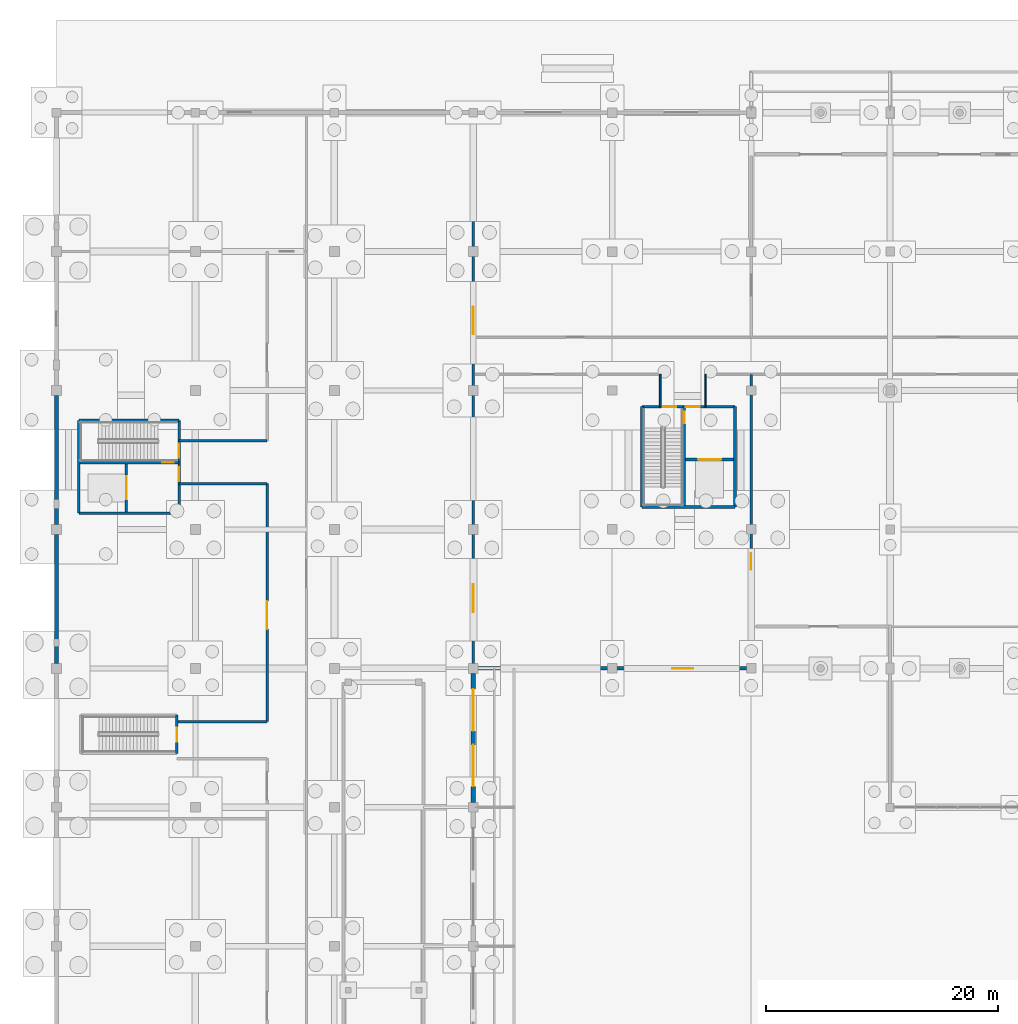
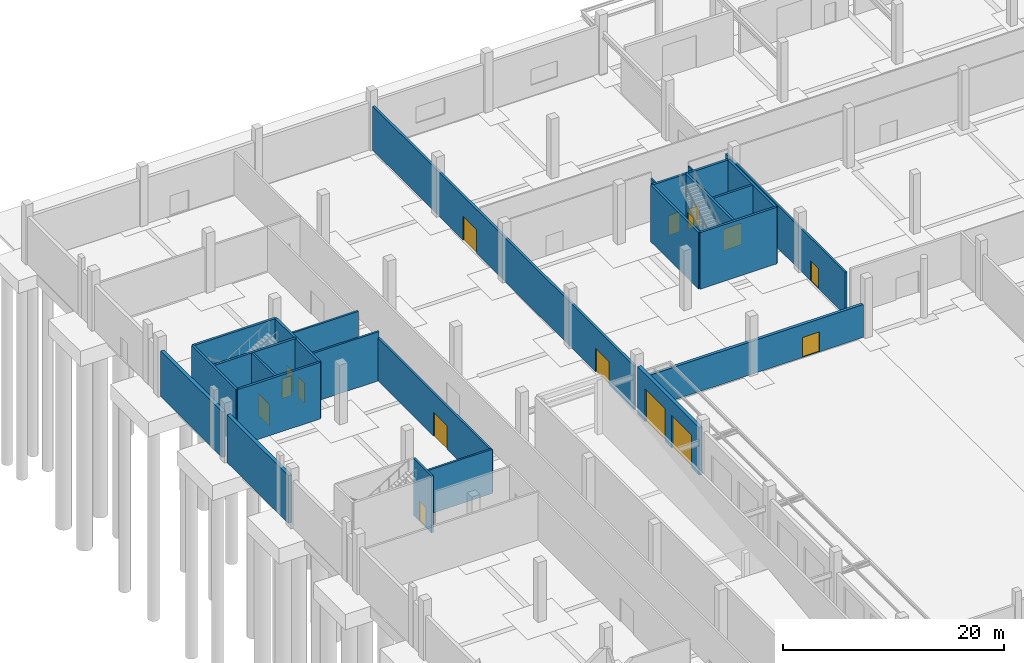
# One storey, part 86 of 117: 25 walls, 16 doors, 16 openings.
"""IFC4 building model written with IfcOpenShell, lengths in metres."""

from ifc_helpers import new_model, si_unit, direction, frame, frame_2d, origin, place, context, subcontext, project, spatial, rectangle, extrude, material, layer, layer_set, type_object, element, fill, save


model = new_model("IFC4")

# Units and contexts
model_context = context("Model", 3, precision=1e-05, world=origin(), true_north=direction((0.0, 1.0)))
body_context = subcontext(model_context, "Body", "Model", "MODEL_VIEW")
ifc_project = project(units=[si_unit("LENGTHUNIT", "METRE"), si_unit("AREAUNIT", "SQUARE_METRE"), si_unit("VOLUMEUNIT", "CUBIC_METRE"), si_unit("PLANEANGLEUNIT", "RADIAN"), si_unit("MASSUNIT", "GRAM", prefix="KILO")], contexts=[model_context])

# Site, building, storey
site_placement = place(None, origin())
site = spatial("IfcSite", under=ifc_project, at=site_placement, CompositionType="ELEMENT")
building_placement = place(site_placement, origin())
building = spatial("IfcBuilding", under=site, at=building_placement, Name="Kamomehara Wholesale Market", CompositionType="ELEMENT")
storey_placement = place(building_placement, origin())
storey = spatial("IfcBuildingStorey", under=building, at=storey_placement, Name="L00", CompositionType="ELEMENT", Elevation=0.0)

# Walls
ifc_material_1 = material(Name="Polyurethane insulated metal panel")
ifc_layer_1 = layer(ifc_material_1, 0.360107421875)
ifc_layer_set_1 = layer_set([ifc_layer_1], Name="Polyurethane insulated metal panel")
wall_type_1 = type_object("IfcWallType", Name="EW-CLD-360", PredefinedType="SOLIDWALL", material=ifc_layer_set_1)
wall_1_placement = place(storey_placement, frame((0.0, 108.425048828125, 0.0), z_axis=(0.0, 0.0, 1.0), x_axis=(0.0, 1.0, 0.0)))
element("IfcWall", 1, at=wall_1_placement, inside=storey, type_object=wall_type_1, Name="Exterior wall EW-CLD-360 7", PredefinedType="SOLIDWALL", context=body_context, shape_type="SweptSolid", body=[
    extrude(rectangle(XDim=11.14990234375, YDim=0.360107421875, at=frame_2d((5.574951171875, 0.0))), origin(), (0.0, 0.0, 1.0), 5.278076171875),
])
wall_2_placement = place(storey_placement, frame((0.0, 120.425048828125, 0.0), z_axis=(0.0, 0.0, 1.0), x_axis=(0.0, 1.0, 0.0)))
element("IfcWall", 2, at=wall_2_placement, inside=storey, type_object=wall_type_1, Name="Exterior wall EW-CLD-360 8", PredefinedType="SOLIDWALL", context=body_context, shape_type="SweptSolid", body=[
    extrude(rectangle(XDim=11.14990234375, YDim=0.360107421875, at=frame_2d((5.574951171875, 0.0))), origin(), (0.0, 0.0, 1.0), 5.048095703125),
])

# Wall, openings, doors
wall_3_placement = place(storey_placement, frame((36.0, 107.574951171875, 0.0), z_axis=(0.0, 0.0, 1.0), x_axis=(0.0, -1.0, 0.0)))
wall_3 = element("IfcWall", 3, at=wall_3_placement, inside=storey, type_object=wall_type_1, Name="Exterior wall EW-CLD-360 20", PredefinedType="SOLIDWALL", context=body_context, shape_type="SweptSolid", body=[
    extrude(rectangle(XDim=11.14990234375, YDim=0.360107421875, at=frame_2d((5.574951171875, 0.0))), origin(), (0.0, 0.0, 1.0), 5.258056640625),
])
opening_1_placement = place(wall_3_placement, frame((1.375, 0.0, 0.0)))
opening_1 = element("IfcOpeningElement", 4, at=opening_1_placement, cuts=wall_3, Name="Opening DK-08", PredefinedType="OPENING", context=body_context, shape_type="SweptSolid", body=[
    extrude(rectangle(XDim=3.60009765625, YDim=3.60009765625, at=frame_2d((1.800048828125, 1.800048828125))), frame((0.0, 0.19482421875, 0.0), z_axis=(0.0, -1.0, 0.0), x_axis=(1.0, 0.0, 0.0)), (0.0, 0.0, 1.0), 0.389892578125),
])
opening_2_placement = place(wall_3_placement, frame((6.175048828125, 0.0, 0.0)))
opening_2 = element("IfcOpeningElement", 5, at=opening_2_placement, cuts=wall_3, Name="Opening DK-07", PredefinedType="OPENING", context=body_context, shape_type="SweptSolid", body=[
    extrude(rectangle(XDim=3.60009765625, YDim=3.60009765625, at=frame_2d((1.800048828125, 1.800048828125))), frame((0.0, 0.19482421875, 0.0), z_axis=(0.0, -1.0, 0.0), x_axis=(1.0, 0.0, 0.0)), (0.0, 0.0, 1.0), 0.389892578125),
])
ifc_material_2 = material(Name="Steel SN400B", Category="steel")
door_type_1 = type_object("IfcDoorType", Name="EDR-DK-4000x4200", OperationType="ROLLINGUP", PredefinedType="GATE", material=ifc_material_2)
door_1_placement = place(opening_1_placement, origin())
door_1 = element("IfcDoor", 6, at=door_1_placement, inside=storey, type_object=door_type_1, Name="Cold dock roller shutter DK-08", OperationType="ROLLINGUP", OverallHeight=3.60009765625, OverallWidth=3.60009765625, PredefinedType="GATE", context=body_context, shape_type="SweptSolid", body=[
    extrude(rectangle(XDim=3.60009765625, YDim=3.60009765625, at=frame_2d((1.800048828125, 1.800048828125))), frame((0.0, 0.02490234375, 0.0), z_axis=(0.0, -1.0, 0.0), x_axis=(1.0, 0.0, 0.0)), (0.0, 0.0, 1.0), 0.050048828125),
])
fill(opening_1, door_1)
door_2_placement = place(opening_2_placement, origin())
door_2 = element("IfcDoor", 7, at=door_2_placement, inside=storey, type_object=door_type_1, Name="Cold dock roller shutter DK-07", OperationType="ROLLINGUP", OverallHeight=3.60009765625, OverallWidth=3.60009765625, PredefinedType="GATE", context=body_context, shape_type="SweptSolid", body=[
    extrude(rectangle(XDim=3.60009765625, YDim=3.60009765625, at=frame_2d((1.800048828125, 1.800048828125))), frame((0.0, 0.02490234375, 0.0), z_axis=(0.0, -1.0, 0.0), x_axis=(1.0, 0.0, 0.0)), (0.0, 0.0, 1.0), 0.050048828125),
])
fill(opening_2, door_2)

# Wall, opening, door
ifc_material_3 = material(Name="Precast concrete Fc45 (C40/50)", Category="concrete")
ifc_layer_2 = layer(ifc_material_3, 0.300048828125)
ifc_layer_set_2 = layer_set([ifc_layer_2], Name="Precast concrete Fc45 (C40/50)")
wall_type_2 = type_object("IfcWallType", Name="EW-PC-300", PredefinedType="SOLIDWALL", material=ifc_layer_set_2)
wall_4_placement = place(storey_placement, frame((59.590087890625, 108.0, 0.0), z_axis=(0.0, 0.0, 1.0), x_axis=(-1.0, 0.0, 0.0)))
wall_4 = element("IfcWall", 8, at=wall_4_placement, inside=storey, type_object=wall_type_2, Name="Exterior wall EW-PC-300 70", PredefinedType="SOLIDWALL", context=body_context, shape_type="SweptSolid", body=[
    extrude(rectangle(XDim=23.1650390625, YDim=0.300048828125, at=frame_2d((11.58251953125, 0.0))), origin(), (0.0, 0.0, 1.0), 3.6298828125),
])
opening_3_placement = place(wall_4_placement, frame((4.590087890625, 0.0, 0.0)))
opening_3 = element("IfcOpeningElement", 9, at=opening_3_placement, cuts=wall_4, Name="Opening ED-L00-26", PredefinedType="OPENING", context=body_context, shape_type="SweptSolid", body=[
    extrude(rectangle(XDim=1.800048828125, YDim=2.199951171875, at=frame_2d((0.89990234375, 1.10009765625))), frame((0.0, 0.1650390625, 0.0), z_axis=(0.0, -1.0, 0.0), x_axis=(1.0, 0.0, 0.0)), (0.0, 0.0, 1.0), 0.329833984375),
])
ifc_material_4 = material(Name="Anodised aluminium 6063-T5", Category="aluminium")
door_type_2 = type_object("IfcDoorType", Name="EDR-1800x2200", OperationType="NOTDEFINED", PredefinedType="DOOR", material=ifc_material_4)
door_3_placement = place(opening_3_placement, origin())
door_3 = element("IfcDoor", 10, at=door_3_placement, inside=storey, type_object=door_type_2, Name="Crate hall exit door ED-L00-26", OperationType="SINGLE_SWING_LEFT", OverallHeight=2.199951171875, OverallWidth=1.800048828125, PredefinedType="DOOR", context=body_context, shape_type="SweptSolid", body=[
    extrude(rectangle(XDim=1.800048828125, YDim=2.199951171875, at=frame_2d((0.89990234375, 1.10009765625))), frame((0.0, 0.02490234375, 0.0), z_axis=(0.0, -1.0, 0.0), x_axis=(1.0, 0.0, 0.0)), (0.0, 0.0, 1.0), 0.050048828125),
])
fill(opening_3, door_3)

# Walls
ifc_material_5 = material(Name="Gypsum board partition")
ifc_layer_3 = layer(ifc_material_5, 0.10009765625)
ifc_layer_set_3 = layer_set([ifc_layer_3], Name="Gypsum board partition")
wall_type_3 = type_object("IfcWallType", Name="IW-PRT-100", PredefinedType="PARTITIONING", material=ifc_layer_set_3)
wall_5_placement = place(storey_placement, frame((56.050048828125, 130.60009765625, 0.0), z_axis=(0.0, 0.0, 1.0), x_axis=(0.0, 1.0, 0.0)))
element("IfcWall", 11, at=wall_5_placement, inside=storey, type_object=wall_type_3, Name="Interior wall IW-PRT-100 198", PredefinedType="PARTITIONING", context=body_context, shape_type="SweptSolid", body=[
    extrude(rectangle(XDim=2.7998046875, YDim=0.10009765625, at=frame_2d((1.39990234375, 0.0))), origin(), (0.0, 0.0, 1.0), 4.73291015625),
])
ifc_material_6 = material(Name="Gypsum board partition")
ifc_layer_4 = layer(ifc_material_6, 0.14990234375)
ifc_layer_set_4 = layer_set([ifc_layer_4], Name="Gypsum board partition")
wall_type_4 = type_object("IfcWallType", Name="IW-PRT-150", PredefinedType="PARTITIONING", material=ifc_layer_set_4)
wall_6_placement = place(storey_placement, frame((52.14990234375, 130.60009765625, 0.0), z_axis=(0.0, 0.0, 1.0), x_axis=(0.0, 1.0, 0.0)))
element("IfcWall", 12, at=wall_6_placement, inside=storey, type_object=wall_type_4, Name="Interior wall IW-PRT-150 197", PredefinedType="PARTITIONING", context=body_context, shape_type="SweptSolid", body=[
    extrude(rectangle(XDim=2.7998046875, YDim=0.14990234375, at=frame_2d((1.39990234375, 0.0))), origin(), (0.0, 0.0, 1.0), 4.73291015625),
])

# Wall, opening, door
ifc_material_7 = material(Name="Gypsum board partition")
ifc_layer_5 = layer(ifc_material_7, 0.199951171875)
ifc_layer_set_5 = layer_set([ifc_layer_5], Name="Gypsum board partition")
wall_type_5 = type_object("IfcWallType", Name="IW-PRT-200", PredefinedType="PARTITIONING", material=ifc_layer_set_5)
wall_7_placement = place(storey_placement, frame((60.0, 111.72998046875, 0.0), z_axis=(0.0, 0.0, 1.0), x_axis=(0.0, 1.0, 0.0)))
wall_7 = element("IfcWall", 13, at=wall_7_placement, inside=storey, type_object=wall_type_5, Name="Interior wall IW-PRT-200 194", PredefinedType="PARTITIONING", context=body_context, shape_type="SweptSolid", body=[
    extrude(rectangle(XDim=21.669921875, YDim=0.199951171875, at=frame_2d((10.8349609375, 0.0))), origin(), (0.0, 0.0, 1.0), 4.73291015625),
])
opening_4_placement = place(wall_7_placement, frame((4.800048828125, 0.0, 0.0)))
opening_4 = element("IfcOpeningElement", 14, at=opening_4_placement, cuts=wall_7, Name="Opening ID-L00-113", PredefinedType="OPENING", context=body_context, shape_type="SweptSolid", body=[
    extrude(rectangle(XDim=1.39990234375, YDim=2.199951171875, at=frame_2d((0.699951171875, 1.10009765625))), frame((0.0, 0.11474609375, 0.0), z_axis=(0.0, -1.0, 0.0), x_axis=(1.0, 0.0, 0.0)), (0.0, 0.0, 1.0), 0.229736328125),
])
ifc_material_8 = material(Name="Steel SN400B", Category="steel")
door_type_3 = type_object("IfcDoorType", Name="IDR-FD-1400x2200", OperationType="NOTDEFINED", PredefinedType="DOOR", material=ifc_material_8)
door_4_placement = place(opening_4_placement, origin())
door_4 = element("IfcDoor", 15, at=door_4_placement, inside=storey, type_object=door_type_3, Name="Interior door ID-L00-113", OperationType="SINGLE_SWING_LEFT", OverallHeight=2.199951171875, OverallWidth=1.39990234375, PredefinedType="DOOR", context=body_context, shape_type="SweptSolid", body=[
    extrude(rectangle(XDim=1.39990234375, YDim=2.199951171875, at=frame_2d((0.699951171875, 1.10009765625))), frame((0.0, 0.02490234375, 0.0), z_axis=(0.0, -1.0, 0.0), x_axis=(1.0, 0.0, 0.0)), (0.0, 0.0, 1.0), 0.050048828125),
])
fill(opening_4, door_4)

# Wall
wall_8_placement = place(storey_placement, frame((10.39990234375, 103.39990234375, 0.0), z_axis=(0.0, 0.0, 1.0), x_axis=(1.0, 0.0, 0.0)))
element("IfcWall", 16, at=wall_8_placement, inside=storey, type_object=wall_type_5, Name="Interior wall IW-PRT-200 232", PredefinedType="PARTITIONING", context=body_context, shape_type="SweptSolid", body=[
    extrude(rectangle(XDim=7.800048828125, YDim=0.199951171875, at=frame_2d((3.89990234375, 0.0))), origin(), (0.0, 0.0, 1.0), 4.89306640625),
])

# Wall, opening, door
wall_9_placement = place(storey_placement, frame((18.199951171875, 103.39990234375, 0.0), z_axis=(0.0, 0.0, 1.0), x_axis=(0.0, 1.0, 0.0)))
wall_9 = element("IfcWall", 17, at=wall_9_placement, inside=storey, type_object=wall_type_5, Name="Interior wall IW-PRT-200 233", PredefinedType="PARTITIONING", context=body_context, shape_type="SweptSolid", body=[
    extrude(rectangle(XDim=20.550048828125, YDim=0.199951171875, at=frame_2d((10.27490234375, 0.0))), origin(), (0.0, 0.0, 1.0), 4.73291015625),
])
opening_5_placement = place(wall_9_placement, frame((8.0, 0.0, 0.0)))
opening_5 = element("IfcOpeningElement", 18, at=opening_5_placement, cuts=wall_9, Name="Opening ID-L00-141", PredefinedType="OPENING", context=body_context, shape_type="SweptSolid", body=[
    extrude(rectangle(XDim=2.39990234375, YDim=2.60009765625, at=frame_2d((1.199951171875, 1.300048828125))), frame((0.0, 0.11474609375, 0.0), z_axis=(0.0, -1.0, 0.0), x_axis=(1.0, 0.0, 0.0)), (0.0, 0.0, 1.0), 0.229736328125),
])
ifc_material_9 = material(Name="Steel SN400B", Category="steel")
door_type_4 = type_object("IfcDoorType", Name="IDR-CL-2400x2600", OperationType="NOTDEFINED", PredefinedType="DOOR", material=ifc_material_9)
door_5_placement = place(opening_5_placement, origin())
door_5 = element("IfcDoor", 19, at=door_5_placement, inside=storey, type_object=door_type_4, Name="Interior door ID-L00-141", OperationType="SINGLE_SWING_LEFT", OverallHeight=2.60009765625, OverallWidth=2.39990234375, PredefinedType="DOOR", context=body_context, shape_type="SweptSolid", body=[
    extrude(rectangle(XDim=2.39990234375, YDim=2.60009765625, at=frame_2d((1.199951171875, 1.300048828125))), frame((0.0, 0.02490234375, 0.0), z_axis=(0.0, -1.0, 0.0), x_axis=(1.0, 0.0, 0.0)), (0.0, 0.0, 1.0), 0.050048828125),
])
fill(opening_5, door_5)

# Walls
for number, where, z_axis, x_axis, name in (
    (20, (10.60009765625, 123.949951171875, 0.0), (0.0, 0.0, 1.0), (1.0, 0.0, 0.0), "Interior wall IW-PRT-200 234"),
    (21, (10.60009765625, 127.64990234375, 0.0), (0.0, 0.0, 1.0), (1.0, 0.0, 0.0), "Interior wall IW-PRT-200 235"),
):
    element("IfcWall", number, at=place(storey_placement, frame(where, z_axis=z_axis, x_axis=x_axis)), inside=storey, type_object=wall_type_5, Name=name, PredefinedType="PARTITIONING", context=body_context, shape_type="SweptSolid", body=[
        extrude(rectangle(XDim=7.599853515625, YDim=0.199951171875, at=frame_2d((3.7998046875, 0.0))), origin(), (0.0, 0.0, 1.0), 5.43310546875),
    ])

# Wall, opening, door
ifc_material_10 = material(Name="Concrete Fc36 (C35/45)", Category="concrete")
ifc_layer_6 = layer(ifc_material_10, 0.219970703125)
ifc_layer_set_6 = layer_set([ifc_layer_6], Name="Concrete Fc36 (C35/45)")
wall_type_6 = type_object("IfcWallType", Name="IW-SHR-220", PredefinedType="SHEAR", material=ifc_layer_set_6)
wall_10_placement = place(storey_placement, frame((54.340087890625, 126.0400390625, 0.0), z_axis=(0.0, 0.0, 1.0), x_axis=(1.0, 0.0, 0.0)))
wall_10 = element("IfcWall", 22, at=wall_10_placement, inside=storey, type_object=wall_type_6, Name="Interior wall IW-SHR-220 6", PredefinedType="SHEAR", context=body_context, shape_type="SweptSolid", body=[
    extrude(rectangle(XDim=4.139892578125, YDim=0.219970703125, at=frame_2d((2.06982421875, 0.0))), origin(), (0.0, 0.0, 1.0), 6.25),
])
opening_6_placement = place(wall_10_placement, frame((1.070068359375, 0.0, 0.0)))
opening_6 = element("IfcOpeningElement", 23, at=opening_6_placement, cuts=wall_10, Name="Opening LD-LF-01-L00", PredefinedType="OPENING", context=body_context, shape_type="SweptSolid", body=[
    extrude(rectangle(XDim=2.0, YDim=2.39990234375, at=frame_2d((1.0, 1.199951171875))), frame((0.0, 0.125, 0.0), z_axis=(0.0, -1.0, 0.0), x_axis=(1.0, 0.0, 0.0)), (0.0, 0.0, 1.0), 0.249755859375),
])
ifc_material_11 = material(Name="Steel SN400B", Category="steel")
door_type_5 = type_object("IfcDoorType", Name="LDR-GDS-2000x2400", OperationType="DOUBLE_DOOR_SLIDING", PredefinedType="DOOR", material=ifc_material_11)
door_6_placement = place(opening_6_placement, origin())
door_6 = element("IfcDoor", 24, at=door_6_placement, inside=storey, type_object=door_type_5, Name="Lift sliding landing door LD-LF-01-L00", OperationType="DOUBLE_DOOR_SLIDING", OverallHeight=2.39990234375, OverallWidth=2.0, PredefinedType="DOOR", context=body_context, shape_type="SweptSolid", body=[
    extrude(rectangle(XDim=2.0, YDim=2.39990234375, at=frame_2d((1.0, 1.199951171875))), frame((0.0, 0.02490234375, 0.0), z_axis=(0.0, -1.0, 0.0), x_axis=(1.0, 0.0, 0.0)), (0.0, 0.0, 1.0), 0.050048828125),
])
fill(opening_6, door_6)

wall_11_placement = place(storey_placement, frame((6.0400390625, 121.52001953125, 0.0), z_axis=(0.0, 0.0, 1.0), x_axis=(0.0, 1.0, 0.0)))
wall_11 = element("IfcWall", 25, at=wall_11_placement, inside=storey, type_object=wall_type_6, Name="Interior wall IW-SHR-220 48", PredefinedType="SHEAR", context=body_context, shape_type="SweptSolid", body=[
    extrude(rectangle(XDim=4.139892578125, YDim=0.219970703125, at=frame_2d((2.06982421875, 0.0))), origin(), (0.0, 0.0, 1.0), 6.25),
])
opening_7_placement = place(wall_11_placement, frame((1.070068359375, 0.0, 0.0)))
opening_7 = element("IfcOpeningElement", 26, at=opening_7_placement, cuts=wall_11, Name="Opening LD-LF-03-L00", PredefinedType="OPENING", context=body_context, shape_type="SweptSolid", body=[
    extrude(rectangle(XDim=2.0, YDim=2.39990234375, at=frame_2d((1.0, 1.199951171875))), frame((0.0, 0.125, 0.0), z_axis=(0.0, -1.0, 0.0), x_axis=(1.0, 0.0, 0.0)), (0.0, 0.0, 1.0), 0.249755859375),
])
door_7_placement = place(opening_7_placement, origin())
door_7 = element("IfcDoor", 27, at=door_7_placement, inside=storey, type_object=door_type_5, Name="Lift sliding landing door LD-LF-03-L00", OperationType="DOUBLE_DOOR_SLIDING", OverallHeight=2.39990234375, OverallWidth=2.0, PredefinedType="DOOR", context=body_context, shape_type="SweptSolid", body=[
    extrude(rectangle(XDim=2.0, YDim=2.39990234375, at=frame_2d((1.0, 1.199951171875))), frame((0.0, 0.02490234375, 0.0), z_axis=(0.0, -1.0, 0.0), x_axis=(1.0, 0.0, 0.0)), (0.0, 0.0, 1.0), 0.050048828125),
])
fill(opening_7, door_7)

wall_12_placement = place(storey_placement, frame((10.39990234375, 100.659912109375, 0.0), z_axis=(0.0, 0.0, 1.0), x_axis=(0.0, 1.0, 0.0)))
wall_12 = element("IfcWall", 28, at=wall_12_placement, inside=storey, type_object=wall_type_6, Name="Interior wall IW-SHR-220 181", PredefinedType="SHEAR", context=body_context, shape_type="SweptSolid", body=[
    extrude(rectangle(XDim=3.300048828125, YDim=0.219970703125, at=frame_2d((1.64990234375, 0.0))), origin(), (0.0, 0.0, 1.0), 6.260009765625),
])
opening_8_placement = place(wall_12_placement, frame((1.0, 0.0, 0.0)))
opening_8 = element("IfcOpeningElement", 29, at=opening_8_placement, cuts=wall_12, Name="Opening FD-ST-15-L00", PredefinedType="OPENING", context=body_context, shape_type="SweptSolid", body=[
    extrude(rectangle(XDim=1.199951171875, YDim=2.199951171875, at=frame_2d((0.60009765625, 1.10009765625))), frame((0.0, 0.125, 0.0), z_axis=(0.0, -1.0, 0.0), x_axis=(1.0, 0.0, 0.0)), (0.0, 0.0, 1.0), 0.249755859375),
])
ifc_material_12 = material(Name="Steel SN400B", Category="steel")
door_type_6 = type_object("IfcDoorType", Name="IDR-FD-1200x2200", OperationType="NOTDEFINED", PredefinedType="DOOR", material=ifc_material_12)
door_8_placement = place(opening_8_placement, origin())
door_8 = element("IfcDoor", 30, at=door_8_placement, inside=storey, type_object=door_type_6, Name="Stair fire door FD-ST-15-L00", OperationType="SINGLE_SWING_LEFT", OverallHeight=2.199951171875, OverallWidth=1.199951171875, PredefinedType="DOOR", context=body_context, shape_type="SweptSolid", body=[
    extrude(rectangle(XDim=1.199951171875, YDim=2.199951171875, at=frame_2d((0.60009765625, 1.10009765625))), frame((0.0, 0.02490234375, 0.0), z_axis=(0.0, -1.0, 0.0), x_axis=(1.0, 0.0, 0.0)), (0.0, 0.0, 1.0), 0.050048828125),
])
fill(opening_8, door_8)

# Walls
ifc_material_13 = material(Name="Concrete Fc36 (C35/45)", Category="concrete")
ifc_layer_7 = layer(ifc_material_13, 0.239990234375)
ifc_layer_set_7 = layer_set([ifc_layer_7], Name="Concrete Fc36 (C35/45)")
wall_type_7 = type_object("IfcWallType", Name="IW-SHR-240", PredefinedType="SHEAR", material=ifc_layer_set_7)
wall_13_placement = place(storey_placement, frame((50.580078125, 130.60009765625, 0.0), z_axis=(0.0, 0.0, 1.0), x_axis=(0.0, -1.0, 0.0)))
element("IfcWall", 31, at=wall_13_placement, inside=storey, type_object=wall_type_7, Name="Interior wall IW-SHR-240 1", PredefinedType="SHEAR", context=body_context, shape_type="SweptSolid", body=[
    extrude(rectangle(XDim=8.670166015625, YDim=0.239990234375, at=frame_2d((4.3349609375, 0.0))), origin(), (0.0, 0.0, 1.0), 6.25),
])
wall_14_placement = place(storey_placement, frame((50.580078125, 121.929931640625, 0.0), z_axis=(0.0, 0.0, 1.0), x_axis=(1.0, 0.0, 0.0)))
element("IfcWall", 32, at=wall_14_placement, inside=storey, type_object=wall_type_7, Name="Interior wall IW-SHR-240 2", PredefinedType="SHEAR", context=body_context, shape_type="SweptSolid", body=[
    extrude(rectangle(XDim=8.02001953125, YDim=0.239990234375, at=frame_2d((4.010009765625, 0.0))), origin(), (0.0, 0.0, 1.0), 6.25),
])

# Wall, opening, door
wall_15_placement = place(storey_placement, frame((54.219970703125, 121.929931640625, 0.0), z_axis=(0.0, 0.0, 1.0), x_axis=(0.0, 1.0, 0.0)))
wall_15 = element("IfcWall", 33, at=wall_15_placement, inside=storey, type_object=wall_type_7, Name="Interior wall IW-SHR-240 3", PredefinedType="SHEAR", context=body_context, shape_type="SweptSolid", body=[
    extrude(rectangle(XDim=8.670166015625, YDim=0.239990234375, at=frame_2d((4.3349609375, 0.0))), origin(), (0.0, 0.0, 1.0), 6.25),
])
opening_9_placement = place(wall_15_placement, frame((7.219970703125, 0.0, 0.0)))
opening_9 = element("IfcOpeningElement", 34, at=opening_9_placement, cuts=wall_15, Name="Opening FD-L00-C1I", PredefinedType="OPENING", context=body_context, shape_type="SweptSolid", body=[
    extrude(rectangle(XDim=1.0, YDim=2.199951171875, at=frame_2d((0.5, 1.10009765625))), frame((0.0, 0.134765625, 0.0), z_axis=(0.0, -1.0, 0.0), x_axis=(1.0, 0.0, 0.0)), (0.0, 0.0, 1.0), 0.269775390625),
])
ifc_material_14 = material(Name="Anodised aluminium 6063-T5", Category="aluminium")
door_type_7 = type_object("IfcDoorType", Name="IDR-RM-1000x2200", OperationType="NOTDEFINED", PredefinedType="DOOR", material=ifc_material_14)
door_9_placement = place(opening_9_placement, origin())
door_9 = element("IfcDoor", 35, at=door_9_placement, inside=storey, type_object=door_type_7, Name="Core lobby-stair fire door FD-L00-C1I", OperationType="SINGLE_SWING_LEFT", OverallHeight=2.199951171875, OverallWidth=1.0, PredefinedType="DOOR", context=body_context, shape_type="SweptSolid", body=[
    extrude(rectangle(XDim=1.0, YDim=2.199951171875, at=frame_2d((0.5, 1.10009765625))), frame((0.0, 0.02490234375, 0.0), z_axis=(0.0, -1.0, 0.0), x_axis=(1.0, 0.0, 0.0)), (0.0, 0.0, 1.0), 0.050048828125),
])
fill(opening_9, door_9)

# Wall
wall_16_placement = place(storey_placement, frame((58.60009765625, 121.929931640625, 0.0), z_axis=(0.0, 0.0, 1.0), x_axis=(0.0, 1.0, 0.0)))
element("IfcWall", 36, at=wall_16_placement, inside=storey, type_object=wall_type_7, Name="Interior wall IW-SHR-240 4", PredefinedType="SHEAR", context=body_context, shape_type="SweptSolid", body=[
    extrude(rectangle(XDim=8.670166015625, YDim=0.239990234375, at=frame_2d((4.3349609375, 0.0))), origin(), (0.0, 0.0, 1.0), 6.25),
])

# Wall, openings, doors
wall_17_placement = place(storey_placement, frame((50.580078125, 130.60009765625, 0.0), z_axis=(0.0, 0.0, 1.0), x_axis=(1.0, 0.0, 0.0)))
wall_17 = element("IfcWall", 37, at=wall_17_placement, inside=storey, type_object=wall_type_7, Name="Interior wall IW-SHR-240 5", PredefinedType="SHEAR", context=body_context, shape_type="SweptSolid", body=[
    extrude(rectangle(XDim=8.02001953125, YDim=0.239990234375, at=frame_2d((4.010009765625, 0.0))), origin(), (0.0, 0.0, 1.0), 6.25),
])
opening_10_placement = place(wall_17_placement, frame((1.77001953125, 0.0, 0.0)))
opening_10 = element("IfcOpeningElement", 38, at=opening_10_placement, cuts=wall_17, Name="Opening FD-L00-C1S", PredefinedType="OPENING", context=body_context, shape_type="SweptSolid", body=[
    extrude(rectangle(XDim=1.199951171875, YDim=2.199951171875, at=frame_2d((0.60009765625, 1.10009765625))), frame((0.0, 0.134765625, 0.0), z_axis=(0.0, -1.0, 0.0), x_axis=(1.0, 0.0, 0.0)), (0.0, 0.0, 1.0), 0.269775390625),
])
opening_11_placement = place(wall_17_placement, frame((3.77001953125, 0.0, 0.0)))
opening_11 = element("IfcOpeningElement", 39, at=opening_11_placement, cuts=wall_17, Name="Opening FD-L00-C1L", PredefinedType="OPENING", context=body_context, shape_type="SweptSolid", body=[
    extrude(rectangle(XDim=1.199951171875, YDim=2.199951171875, at=frame_2d((0.60009765625, 1.10009765625))), frame((0.0, 0.134765625, 0.0), z_axis=(0.0, -1.0, 0.0), x_axis=(1.0, 0.0, 0.0)), (0.0, 0.0, 1.0), 0.269775390625),
])
door_10_placement = place(opening_10_placement, origin())
door_10 = element("IfcDoor", 40, at=door_10_placement, inside=storey, type_object=door_type_6, Name="Stair fire door FD-L00-C1S", OperationType="SINGLE_SWING_RIGHT", OverallHeight=2.199951171875, OverallWidth=1.199951171875, PredefinedType="DOOR", context=body_context, shape_type="SweptSolid", body=[
    extrude(rectangle(XDim=1.199951171875, YDim=2.199951171875, at=frame_2d((0.60009765625, 1.10009765625))), frame((0.0, 0.02490234375, 0.0), z_axis=(0.0, -1.0, 0.0), x_axis=(1.0, 0.0, 0.0)), (0.0, 0.0, 1.0), 0.050048828125),
])
fill(opening_10, door_10)
door_11_placement = place(opening_11_placement, origin())
door_11 = element("IfcDoor", 41, at=door_11_placement, inside=storey, type_object=door_type_6, Name="Lift lobby fire door FD-L00-C1L", OperationType="SINGLE_SWING_LEFT", OverallHeight=2.199951171875, OverallWidth=1.199951171875, PredefinedType="DOOR", context=body_context, shape_type="SweptSolid", body=[
    extrude(rectangle(XDim=1.199951171875, YDim=2.199951171875, at=frame_2d((0.60009765625, 1.10009765625))), frame((0.0, 0.02490234375, 0.0), z_axis=(0.0, -1.0, 0.0), x_axis=(1.0, 0.0, 0.0)), (0.0, 0.0, 1.0), 0.050048828125),
])
fill(opening_11, door_11)

# Walls
wall_18_placement = place(storey_placement, frame((10.60009765625, 129.419921875, 0.0), z_axis=(0.0, 0.0, 1.0), x_axis=(-1.0, 0.0, 0.0)))
element("IfcWall", 42, at=wall_18_placement, inside=storey, type_object=wall_type_7, Name="Interior wall IW-SHR-240 43", PredefinedType="SHEAR", context=body_context, shape_type="SweptSolid", body=[
    extrude(rectangle(XDim=8.670166015625, YDim=0.239990234375, at=frame_2d((4.3349609375, 0.0))), origin(), (0.0, 0.0, 1.0), 6.25),
])
wall_19_placement = place(storey_placement, frame((1.929931640625, 129.419921875, 0.0), z_axis=(0.0, 0.0, 1.0), x_axis=(0.0, -1.0, 0.0)))
element("IfcWall", 43, at=wall_19_placement, inside=storey, type_object=wall_type_7, Name="Interior wall IW-SHR-240 44", PredefinedType="SHEAR", context=body_context, shape_type="SweptSolid", body=[
    extrude(rectangle(XDim=8.02001953125, YDim=0.239990234375, at=frame_2d((4.010009765625, 0.0))), origin(), (0.0, 0.0, 1.0), 6.25),
])
wall_20_placement = place(storey_placement, frame((1.929931640625, 121.39990234375, 0.0), z_axis=(0.0, 0.0, 1.0), x_axis=(1.0, 0.0, 0.0)))
element("IfcWall", 44, at=wall_20_placement, inside=storey, type_object=wall_type_7, Name="Interior wall IW-SHR-240 45", PredefinedType="SHEAR", context=body_context, shape_type="SweptSolid", body=[
    extrude(rectangle(XDim=8.670166015625, YDim=0.239990234375, at=frame_2d((4.3349609375, 0.0))), origin(), (0.0, 0.0, 1.0), 6.25),
])

# Wall, opening, door
wall_21_placement = place(storey_placement, frame((1.929931640625, 125.780029296875, 0.0), z_axis=(0.0, 0.0, 1.0), x_axis=(1.0, 0.0, 0.0)))
wall_21 = element("IfcWall", 45, at=wall_21_placement, inside=storey, type_object=wall_type_7, Name="Interior wall IW-SHR-240 46", PredefinedType="SHEAR", context=body_context, shape_type="SweptSolid", body=[
    extrude(rectangle(XDim=8.670166015625, YDim=0.239990234375, at=frame_2d((4.3349609375, 0.0))), origin(), (0.0, 0.0, 1.0), 6.25),
])
opening_12_placement = place(wall_21_placement, frame((7.219970703125, 0.0, 0.0)))
opening_12 = element("IfcOpeningElement", 46, at=opening_12_placement, cuts=wall_21, Name="Opening FD-L00-C4I", PredefinedType="OPENING", context=body_context, shape_type="SweptSolid", body=[
    extrude(rectangle(XDim=1.0, YDim=2.199951171875, at=frame_2d((0.5, 1.10009765625))), frame((0.0, 0.134765625, 0.0), z_axis=(0.0, -1.0, 0.0), x_axis=(1.0, 0.0, 0.0)), (0.0, 0.0, 1.0), 0.269775390625),
])
door_12_placement = place(opening_12_placement, origin())
door_12 = element("IfcDoor", 47, at=door_12_placement, inside=storey, type_object=door_type_7, Name="Core lobby-stair fire door FD-L00-C4I", OperationType="SINGLE_SWING_RIGHT", OverallHeight=2.199951171875, OverallWidth=1.0, PredefinedType="DOOR", context=body_context, shape_type="SweptSolid", body=[
    extrude(rectangle(XDim=1.0, YDim=2.199951171875, at=frame_2d((0.5, 1.10009765625))), frame((0.0, 0.02490234375, 0.0), z_axis=(0.0, -1.0, 0.0), x_axis=(1.0, 0.0, 0.0)), (0.0, 0.0, 1.0), 0.050048828125),
])
fill(opening_12, door_12)

# Wall, openings, doors
wall_22_placement = place(storey_placement, frame((10.60009765625, 121.39990234375, 0.0), z_axis=(0.0, 0.0, 1.0), x_axis=(0.0, 1.0, 0.0)))
wall_22 = element("IfcWall", 48, at=wall_22_placement, inside=storey, type_object=wall_type_7, Name="Interior wall IW-SHR-240 47", PredefinedType="SHEAR", context=body_context, shape_type="SweptSolid", body=[
    extrude(rectangle(XDim=8.02001953125, YDim=0.239990234375, at=frame_2d((4.010009765625, 0.0))), origin(), (0.0, 0.0, 1.0), 6.25),
])
opening_13_placement = place(wall_22_placement, frame((2.75, 0.0, 0.0)))
opening_13 = element("IfcOpeningElement", 49, at=opening_13_placement, cuts=wall_22, Name="Opening FD-L00-C4L", PredefinedType="OPENING", context=body_context, shape_type="SweptSolid", body=[
    extrude(rectangle(XDim=1.199951171875, YDim=2.199951171875, at=frame_2d((0.60009765625, 1.10009765625))), frame((0.0, 0.134765625, 0.0), z_axis=(0.0, -1.0, 0.0), x_axis=(1.0, 0.0, 0.0)), (0.0, 0.0, 1.0), 0.269775390625),
])
opening_14_placement = place(wall_22_placement, frame((4.800048828125, 0.0, 0.0)))
opening_14 = element("IfcOpeningElement", 50, at=opening_14_placement, cuts=wall_22, Name="Opening FD-L00-C4S", PredefinedType="OPENING", context=body_context, shape_type="SweptSolid", body=[
    extrude(rectangle(XDim=1.199951171875, YDim=2.199951171875, at=frame_2d((0.60009765625, 1.10009765625))), frame((0.0, 0.134765625, 0.0), z_axis=(0.0, -1.0, 0.0), x_axis=(1.0, 0.0, 0.0)), (0.0, 0.0, 1.0), 0.269775390625),
])
door_13_placement = place(opening_13_placement, origin())
door_13 = element("IfcDoor", 51, at=door_13_placement, inside=storey, type_object=door_type_6, Name="Lift lobby fire door FD-L00-C4L", OperationType="SINGLE_SWING_RIGHT", OverallHeight=2.199951171875, OverallWidth=1.199951171875, PredefinedType="DOOR", context=body_context, shape_type="SweptSolid", body=[
    extrude(rectangle(XDim=1.199951171875, YDim=2.199951171875, at=frame_2d((0.60009765625, 1.10009765625))), frame((0.0, 0.02490234375, 0.0), z_axis=(0.0, -1.0, 0.0), x_axis=(1.0, 0.0, 0.0)), (0.0, 0.0, 1.0), 0.050048828125),
])
fill(opening_13, door_13)
door_14_placement = place(opening_14_placement, origin())
door_14 = element("IfcDoor", 52, at=door_14_placement, inside=storey, type_object=door_type_6, Name="Stair fire door FD-L00-C4S", OperationType="SINGLE_SWING_LEFT", OverallHeight=2.199951171875, OverallWidth=1.199951171875, PredefinedType="DOOR", context=body_context, shape_type="SweptSolid", body=[
    extrude(rectangle(XDim=1.199951171875, YDim=2.199951171875, at=frame_2d((0.60009765625, 1.10009765625))), frame((0.0, 0.02490234375, 0.0), z_axis=(0.0, -1.0, 0.0), x_axis=(1.0, 0.0, 0.0)), (0.0, 0.0, 1.0), 0.050048828125),
])
fill(opening_14, door_14)

wall_23_placement = place(storey_placement, frame((36.0, 108.35009765625, 0.0), z_axis=(0.0, 0.0, 1.0), x_axis=(0.0, 1.0, 0.0)))
wall_23 = element("IfcWall", 53, at=wall_23_placement, inside=storey, type_object=wall_type_7, Name="Interior wall IW-SHR-240 193", PredefinedType="SHEAR", context=body_context, shape_type="SweptSolid", body=[
    extrude(rectangle(XDim=47.2998046875, YDim=0.239990234375, at=frame_2d((23.64990234375, 0.0))), origin(), (0.0, 0.0, 1.0), 4.85302734375),
])
opening_15_placement = place(wall_23_placement, frame((4.5, 0.0, 0.0)))
opening_15 = element("IfcOpeningElement", 54, at=opening_15_placement, cuts=wall_23, Name="Opening ID-L00-111", PredefinedType="OPENING", context=body_context, shape_type="SweptSolid", body=[
    extrude(rectangle(XDim=2.39990234375, YDim=2.60009765625, at=frame_2d((1.199951171875, 1.300048828125))), frame((0.0, 0.134765625, 0.0), z_axis=(0.0, -1.0, 0.0), x_axis=(1.0, 0.0, 0.0)), (0.0, 0.0, 1.0), 0.269775390625),
])
opening_16_placement = place(wall_23_placement, frame((28.5, 0.0, 0.0)))
opening_16 = element("IfcOpeningElement", 55, at=opening_16_placement, cuts=wall_23, Name="Opening ID-L00-112", PredefinedType="OPENING", context=body_context, shape_type="SweptSolid", body=[
    extrude(rectangle(XDim=2.39990234375, YDim=2.60009765625, at=frame_2d((1.199951171875, 1.300048828125))), frame((0.0, 0.134765625, 0.0), z_axis=(0.0, -1.0, 0.0), x_axis=(1.0, 0.0, 0.0)), (0.0, 0.0, 1.0), 0.269775390625),
])
door_15_placement = place(opening_15_placement, origin())
door_15 = element("IfcDoor", 56, at=door_15_placement, inside=storey, type_object=door_type_4, Name="Interior door ID-L00-111", OperationType="SINGLE_SWING_LEFT", OverallHeight=2.60009765625, OverallWidth=2.39990234375, PredefinedType="DOOR", context=body_context, shape_type="SweptSolid", body=[
    extrude(rectangle(XDim=2.39990234375, YDim=2.60009765625, at=frame_2d((1.199951171875, 1.300048828125))), frame((0.0, 0.02490234375, 0.0), z_axis=(0.0, -1.0, 0.0), x_axis=(1.0, 0.0, 0.0)), (0.0, 0.0, 1.0), 0.050048828125),
])
fill(opening_15, door_15)
door_16_placement = place(opening_16_placement, origin())
door_16 = element("IfcDoor", 57, at=door_16_placement, inside=storey, type_object=door_type_4, Name="Interior door ID-L00-112", OperationType="SINGLE_SWING_RIGHT", OverallHeight=2.60009765625, OverallWidth=2.39990234375, PredefinedType="DOOR", context=body_context, shape_type="SweptSolid", body=[
    extrude(rectangle(XDim=2.39990234375, YDim=2.60009765625, at=frame_2d((1.199951171875, 1.300048828125))), frame((0.0, 0.02490234375, 0.0), z_axis=(0.0, -1.0, 0.0), x_axis=(1.0, 0.0, 0.0)), (0.0, 0.0, 1.0), 0.050048828125),
])
fill(opening_16, door_16)

save(model, "model.ifc")
